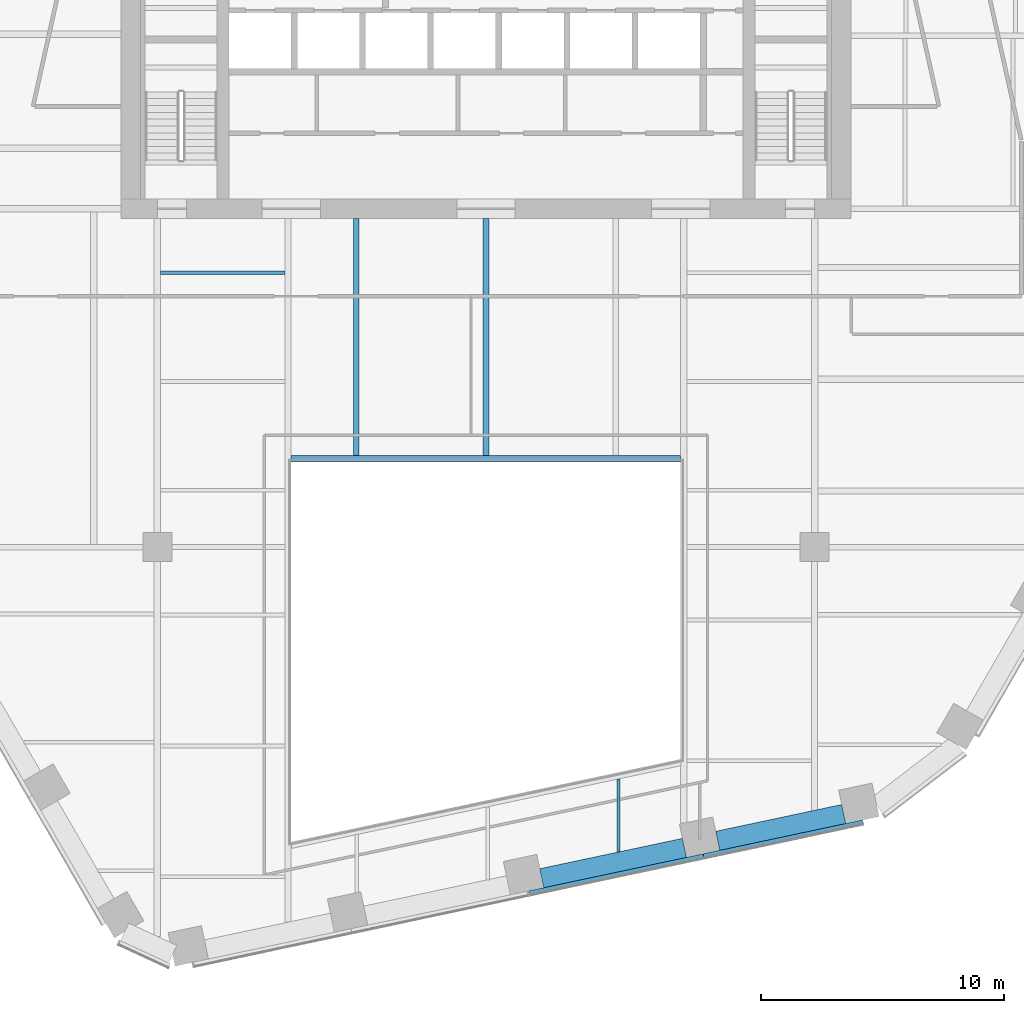
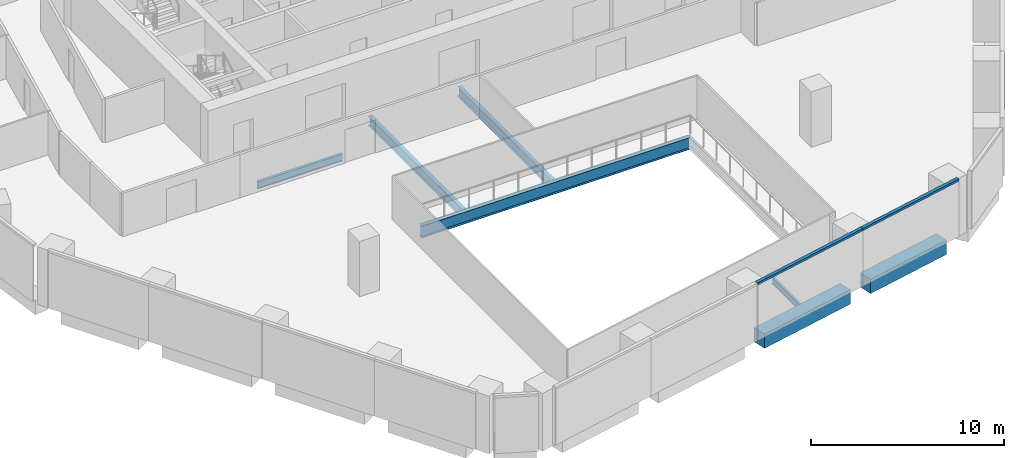
# One storey, part 4 of 16: 7 beams, 2 members, 1 element without a shape of its own.
"""IFC4 building model written with IfcOpenShell, lengths in metres."""

from ifc_helpers import new_model, si_unit, direction, frame, origin, origin_2d, place, context, subcontext, project, spatial, rectangle, i_section, extrude, material, layer, layer_set, material_profile, profile_set, type_object, element, aggregate, save


model = new_model("IFC4")

# Units and contexts
model_context = context("Model", 3, precision=1e-05, world=origin(), true_north=direction((0.0, 1.0)))
body_context = subcontext(model_context, "Body", "Model", "MODEL_VIEW")
ifc_project = project(units=[si_unit("LENGTHUNIT", "METRE"), si_unit("AREAUNIT", "SQUARE_METRE"), si_unit("VOLUMEUNIT", "CUBIC_METRE"), si_unit("PLANEANGLEUNIT", "RADIAN"), si_unit("MASSUNIT", "GRAM", prefix="KILO")], contexts=[model_context])

# Site, building, storey
site_placement = place(None, origin())
site = spatial("IfcSite", under=ifc_project, at=site_placement, CompositionType="ELEMENT")
building_placement = place(site_placement, origin())
building = spatial("IfcBuilding", under=site, at=building_placement, Name="Isthmus Gate Tower", CompositionType="ELEMENT")
storey_placement = place(building_placement, frame((0.0, 0.0, 140.75)))
storey = spatial("IfcBuildingStorey", under=building, at=storey_placement, Name="L34", CompositionType="ELEMENT", Elevation=140.75)

# Curtain wall, members
ifc_material_1 = material(Name="Aluminium, pale champagne anodised", Category="aluminium")
ifc_layer = layer(ifc_material_1, 0.199951171875)
ifc_layer_set = layer_set([ifc_layer], Name="CW-1 UNITISED CURTAIN WALL 200 DEEP")
curtain_wall_type = type_object("IfcCurtainWallType", Name="CW-1 UNITISED CURTAIN WALL 200 DEEP", PredefinedType="NOTDEFINED", material=ifc_layer_set)
curtain_wall_placement = place(storey_placement, origin())
curtain_wall = element("IfcCurtainWall", 1, at=curtain_wall_placement, inside=storey, type_object=curtain_wall_type, Name="CW-1 S L34", PredefinedType="NOTDEFINED")
ifc_material_2 = material(Name="Aluminium, pale champagne anodised", Category="aluminium")
ifc_material_profile_1 = material_profile(ifc_material_2, rectangle(XDim=0.199951171875, YDim=0.139892578125, at=origin_2d()), Name="200x140")
ifc_profile_set_1 = profile_set([ifc_material_profile_1], Name="Aluminium, pale champagne anodised")
member_type = type_object("IfcMemberType", Name="CW-1 TRANSOM 200 X 140", PredefinedType="USERDEFINED", material=ifc_profile_set_1)
member_1_placement = place(storey_placement, frame((1.76953125, -27.72607421875, 3.580078125), z_axis=(0.978146152746, 0.207918502948, 0.0), x_axis=(-0.207918502948, 0.978146152746, 0.0)))
member_1 = element("IfcMember", 2, at=member_1_placement, type_object=member_type, Name="CW-1 transom", ObjectType="TRANSOM", PredefinedType="USERDEFINED", context=body_context, shape_type="SweptSolid", body=[
    extrude(rectangle(XDim=0.199951171875, YDim=0.139892578125, at=origin_2d()), origin(), (0.0, 0.0, 1.0), 7.33056640625),
])
member_2_placement = place(storey_placement, frame((8.93994140625, -26.201904296875, 3.580078125), z_axis=(0.978147628551, 0.207911559946, 0.0), x_axis=(-0.207911559946, 0.978147628551, 0.0)))
member_2 = element("IfcMember", 3, at=member_2_placement, type_object=member_type, Name="CW-1 transom", ObjectType="TRANSOM", PredefinedType="USERDEFINED", context=body_context, shape_type="SweptSolid", body=[
    extrude(rectangle(XDim=0.199951171875, YDim=0.139892578125, at=origin_2d()), origin(), (0.0, 0.0, 1.0), 6.69091796875),
])
aggregate(curtain_wall, [member_1, member_2])

# Beams
ifc_material_3 = material(Name="Concrete f'c 60 MPa", Category="concrete")
ifc_material_profile_2 = material_profile(ifc_material_3, rectangle(XDim=0.800048828125, YDim=0.89990234375, at=origin_2d()), Name="RC 800X900")
ifc_profile_set_2 = profile_set([ifc_material_profile_2], Name="Concrete f'c 60 MPa")
beam_type_1 = type_object("IfcBeamType", Name="RC SPANDREL 800 X 900", PredefinedType="SPANDREL", material=ifc_profile_set_2)
beam_1_placement = place(storey_placement, frame((14.696044921875, -24.46728515625, -0.449951171875), z_axis=(-0.978145479826, -0.207921668653, 0.0), x_axis=(0.207921668653, -0.978145479826, 0.0)))
element("IfcBeam", 4, at=beam_1_placement, inside=storey, type_object=beam_type_1, Name="str-spandrel-L34-11", PredefinedType="SPANDREL", context=body_context, shape_type="SweptSolid", body=[
    extrude(rectangle(XDim=0.800048828125, YDim=0.89990234375, at=origin_2d()), origin(), (0.0, 0.0, 1.0), 5.291015625),
])
beam_2_placement = place(storey_placement, frame((8.1513671875, -25.8583984375, -0.449951171875), z_axis=(-0.978145798872, -0.20792016773, 0.0), x_axis=(0.20792016773, -0.978145798872, 0.0)))
element("IfcBeam", 5, at=beam_2_placement, inside=storey, type_object=beam_type_1, Name="str-spandrel-L34-12", PredefinedType="SPANDREL", context=body_context, shape_type="SweptSolid", body=[
    extrude(rectangle(XDim=0.800048828125, YDim=0.89990234375, at=origin_2d()), origin(), (0.0, 0.0, 1.0), 5.99072265625),
])
ifc_material_4 = material(Name="Structural steel ASTM A992 Gr 50", Category="steel")
ifc_material_profile_3 = material_profile(ifc_material_4, i_section(OverallWidth=0.1396484375, OverallDepth=0.4033203125, WebThickness=0.00634765625, FlangeThickness=0.010986328125, at=origin_2d()), Name="W16X31")
ifc_profile_set_3 = profile_set([ifc_material_profile_3], Name="Structural steel ASTM A992 Gr 50")
beam_type_2 = type_object("IfcBeamType", Name="STEEL FLOOR BEAM W16X31", PredefinedType="JOIST", material=ifc_profile_set_3)
beam_3_placement = place(storey_placement, frame((5.443115234375, -26.025146484375, -0.3515625), z_axis=(0.0, 1.0, 0.0), x_axis=(-1.0, 0.0, 0.0)))
element("IfcBeam", 6, at=beam_3_placement, inside=storey, type_object=beam_type_2, Name="str-beam-L34-07-02", PredefinedType="JOIST", context=body_context, shape_type="SweptSolid", body=[
    extrude(i_section(OverallWidth=0.1396484375, OverallDepth=0.4033203125, WebThickness=0.00634765625, FlangeThickness=0.010986328125, at=origin_2d()), origin(), (0.0, 0.0, 1.0), 2.998779296875),
])
ifc_material_5 = material(Name="Structural steel ASTM A992 Gr 50", Category="steel")
ifc_material_profile_4 = material_profile(ifc_material_5, i_section(OverallWidth=0.15234375, OverallDepth=0.45068359375, WebThickness=0.0078125, FlangeThickness=0.010986328125, at=origin_2d()), Name="W18X35")
ifc_profile_set_4 = profile_set([ifc_material_profile_4], Name="Structural steel ASTM A992 Gr 50")
beam_type_3 = type_object("IfcBeamType", Name="STEEL FLOOR BEAM W18X35", PredefinedType="JOIST", material=ifc_profile_set_4)
beam_4_placement = place(storey_placement, frame((-13.3681640625, -2.232421875, -0.37548828125), z_axis=(1.0, 0.0, 0.0), x_axis=(0.0, 1.0, 0.0)))
element("IfcBeam", 7, at=beam_4_placement, inside=storey, type_object=beam_type_3, Name="str-beam-L34-04-02", PredefinedType="JOIST", context=body_context, shape_type="SweptSolid", body=[
    extrude(i_section(OverallWidth=0.15234375, OverallDepth=0.45068359375, WebThickness=0.0078125, FlangeThickness=0.010986328125, at=origin_2d()), origin(), (0.0, 0.0, 1.0), 5.1015625),
])
ifc_material_6 = material(Name="Structural steel ASTM A992 Gr 50", Category="steel")
ifc_material_profile_5 = material_profile(ifc_material_6, i_section(OverallWidth=0.228515625, OverallDepth=0.603271484375, WebThickness=0.010986328125, FlangeThickness=0.014404296875, at=origin_2d()), Name="W24X68")
ifc_profile_set_5 = profile_set([ifc_material_profile_5], Name="Structural steel ASTM A992 Gr 50")
beam_type_4 = type_object("IfcBeamType", Name="STEEL FLOOR BEAM W24X68", PredefinedType="JOIST", material=ifc_profile_set_5)
for number, where, z_axis, x_axis, name in (
    (8, (-5.333251953125, -9.7333984375, -0.45166015625), (0.0, 1.0, 0.0), (-1.0, 0.0, 0.0), "str-beam-L34-06-00"),
    (9, (0.0, -9.7333984375, -0.45166015625), (0.0, 1.0, 0.0), (-1.0, 0.0, 0.0), "str-beam-L34-06-01"),
):
    element("IfcBeam", number, at=place(storey_placement, frame(where, z_axis=z_axis, x_axis=x_axis)), inside=storey, type_object=beam_type_4, Name=name, PredefinedType="JOIST", context=body_context, shape_type="SweptSolid", body=[
        extrude(i_section(OverallWidth=0.228515625, OverallDepth=0.603271484375, WebThickness=0.010986328125, FlangeThickness=0.014404296875, at=origin_2d()), origin(), (0.0, 0.0, 1.0), 9.7333984375),
    ])
ifc_material_7 = material(Name="Structural steel ASTM A992 Gr 50", Category="steel")
ifc_material_profile_6 = material_profile(ifc_material_7, i_section(OverallWidth=0.2666015625, OverallDepth=0.7587890625, WebThickness=0.014404296875, FlangeThickness=0.01904296875, at=origin_2d()), Name="W30X108")
ifc_profile_set_6 = profile_set([ifc_material_profile_6], Name="Structural steel ASTM A992 Gr 50")
beam_type_5 = type_object("IfcBeamType", Name="STEEL TRIMMER W30X108", PredefinedType="BEAM", material=ifc_profile_set_6)
beam_5_placement = place(storey_placement, frame((8.0, -9.86669921875, -0.529296875), z_axis=(-1.0, 0.0, 0.0), x_axis=(0.0, -1.0, 0.0)))
element("IfcBeam", 10, at=beam_5_placement, inside=storey, type_object=beam_type_5, Name="str-trimmer-L34-04", PredefinedType="BEAM", context=body_context, shape_type="SweptSolid", body=[
    extrude(i_section(OverallWidth=0.2666015625, OverallDepth=0.7587890625, WebThickness=0.014404296875, FlangeThickness=0.01904296875, at=origin_2d()), origin(), (0.0, 0.0, 1.0), 16.0),
])

save(model, "model.ifc")
